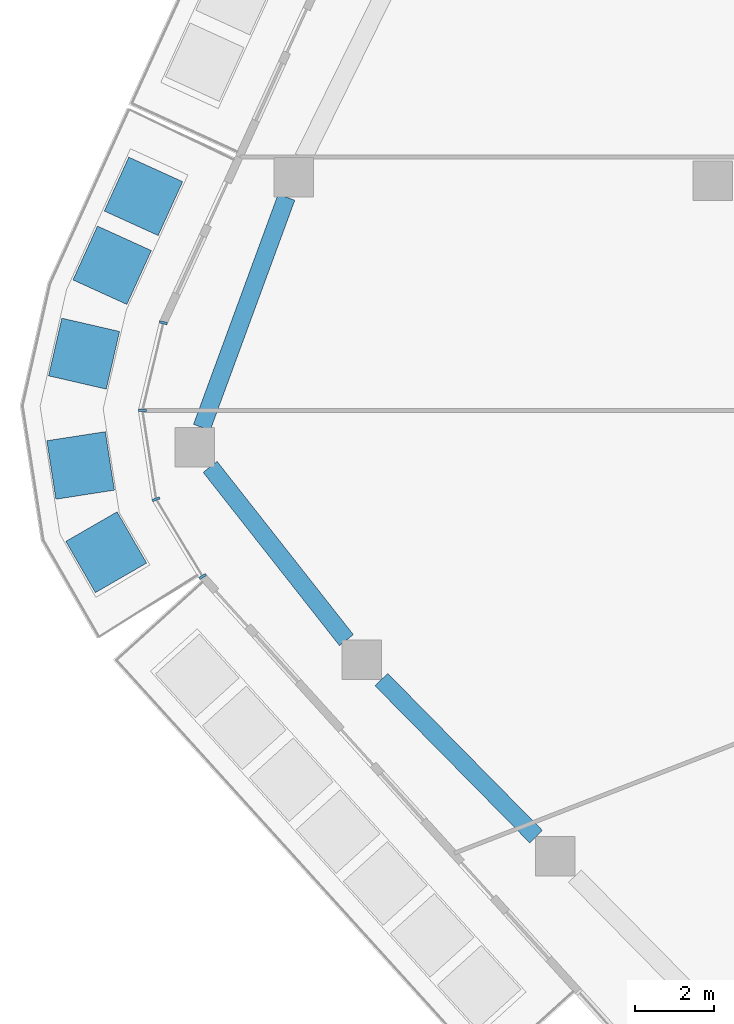
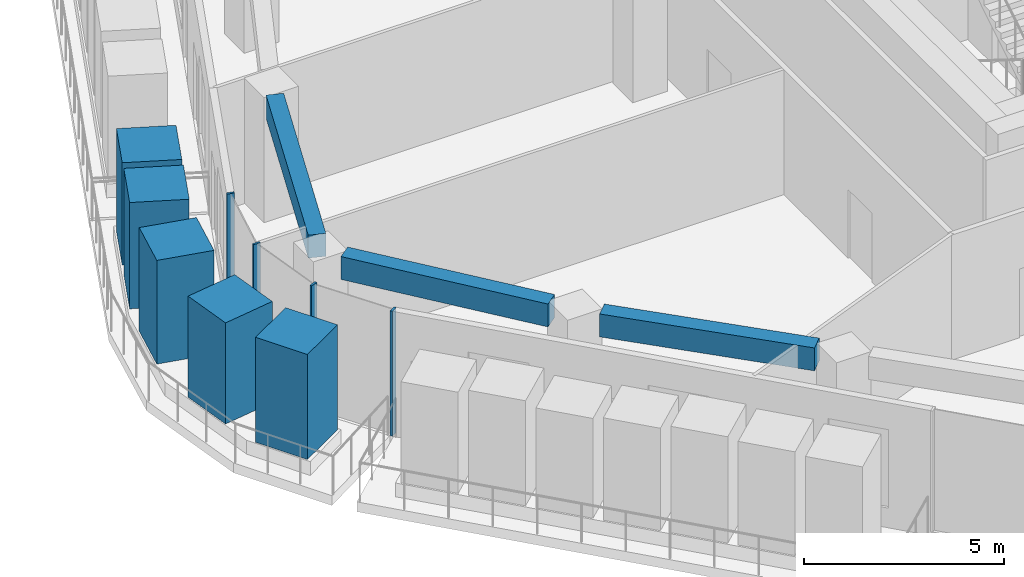
# One storey, part 3 of 24: 9 members, 3 beams, 1 element without a shape of its own.
"""IFC4 building model written with IfcOpenShell, lengths in metres."""

from ifc_helpers import new_model, si_unit, direction, frame, origin, origin_2d, place, context, subcontext, project, spatial, rectangle, extrude, material, layer, layer_set, material_profile, profile_set, type_object, element, aggregate, save


model = new_model("IFC4")

# Units and contexts
model_context = context("Model", 3, precision=1e-05, world=origin(), true_north=direction((0.0, 1.0)))
body_context = subcontext(model_context, "Body", "Model", "MODEL_VIEW")
ifc_project = project(units=[si_unit("LENGTHUNIT", "METRE"), si_unit("AREAUNIT", "SQUARE_METRE"), si_unit("VOLUMEUNIT", "CUBIC_METRE"), si_unit("PLANEANGLEUNIT", "RADIAN"), si_unit("MASSUNIT", "GRAM", prefix="KILO")], contexts=[model_context])

# Site, building, storey
site_placement = place(None, origin())
site = spatial("IfcSite", under=ifc_project, at=site_placement, CompositionType="ELEMENT")
building_placement = place(site_placement, origin())
building = spatial("IfcBuilding", under=site, at=building_placement, Name="Dongbaek Canopy Tower", CompositionType="ELEMENT")
storey_placement = place(building_placement, frame((0.0, 0.0, 306.800048828125)))
storey = spatial("IfcBuildingStorey", under=building, at=storey_placement, Name="L65", CompositionType="ELEMENT", Elevation=306.800048828125)

# Curtain wall, members
ifc_material_1 = material(Name="Aluminium 6063-T6 pale anodised", Category="aluminium")
ifc_layer = layer(ifc_material_1, 0.199951171875)
ifc_layer_set = layer_set([ifc_layer], Name="CW-1 unitised tower curtain wall")
curtain_wall_type = type_object("IfcCurtainWallType", Name="CW-1 unitised tower curtain wall", PredefinedType="NOTDEFINED", material=ifc_layer_set)
curtain_wall_placement = place(storey_placement, origin())
curtain_wall = element("IfcCurtainWall", 1, at=curtain_wall_placement, inside=storey, type_object=curtain_wall_type, Name="CW-1 curtain wall K3.1", PredefinedType="NOTDEFINED")
ifc_material_2 = material(Name="Aluminium 6063-T6 pale anodised", Category="aluminium")
ifc_material_profile_1 = material_profile(ifc_material_2, rectangle(XDim=0.199951171875, YDim=0.06005859375, at=origin_2d()), Name="CW-1 mullion 60 x 200")
ifc_profile_set_1 = profile_set([ifc_material_profile_1], Name="Aluminium 6063-T6 pale anodised")
member_type_1 = type_object("IfcMemberType", Name="CW-1 mullion 60 x 200", PredefinedType="MULLION", material=ifc_profile_set_1)
member_1_placement = place(storey_placement, frame((-31.920654296875, -3.59375, 0.0), z_axis=(0.0, 0.0, 1.0), x_axis=(-0.972600692253, 0.232482028187, 0.0)))
member_1 = element("IfcMember", 2, at=member_1_placement, type_object=member_type_1, Name="CW-1 mullion K3.1.1", PredefinedType="MULLION", context=body_context, shape_type="SweptSolid", body=[
    extrude(rectangle(XDim=0.199951171875, YDim=0.06005859375, at=origin_2d()), origin(), (0.0, 0.0, 1.0), 3.820068359375),
])
member_2_placement = place(storey_placement, frame((-32.451904296875, -5.81640625, 0.0), z_axis=(0.0, 0.0, 1.0), x_axis=(-0.999178724078, 0.040520085748, 0.0)))
member_2 = element("IfcMember", 3, at=member_2_placement, type_object=member_type_1, Name="CW-1 mullion K3.1.2", PredefinedType="MULLION", context=body_context, shape_type="SweptSolid", body=[
    extrude(rectangle(XDim=0.199951171875, YDim=0.06005859375, at=origin_2d()), origin(), (0.0, 0.0, 1.0), 3.820068359375),
])
member_3_placement = place(storey_placement, frame((-32.10400390625, -8.06494140625, 0.0), z_axis=(0.0, 0.0, 1.0), x_axis=(-0.940171100835, -0.340702657979, 0.0)))
member_3 = element("IfcMember", 4, at=member_3_placement, type_object=member_type_1, Name="CW-1 mullion K3.1.3", PredefinedType="MULLION", context=body_context, shape_type="SweptSolid", body=[
    extrude(rectangle(XDim=0.199951171875, YDim=0.06005859375, at=origin_2d()), origin(), (0.0, 0.0, 1.0), 3.820068359375),
])
member_4_placement = place(storey_placement, frame((-30.925537109375, -10.022705078125, 0.0), z_axis=(0.0, 0.0, 1.0), x_axis=(-0.856801523031, -0.51564634211, 0.0)))
member_4 = element("IfcMember", 5, at=member_4_placement, type_object=member_type_1, Name="CW-1 mullion K3.1.4", PredefinedType="MULLION", context=body_context, shape_type="SweptSolid", body=[
    extrude(rectangle(XDim=0.199951171875, YDim=0.06005859375, at=origin_2d()), origin(), (0.0, 0.0, 1.0), 3.820068359375),
])
aggregate(curtain_wall, [member_1, member_2, member_3, member_4])

# Beams
ifc_material_3 = material(Name="Concrete C60", Category="concrete")
ifc_material_profile_2 = material_profile(ifc_material_3, rectangle(XDim=0.449951171875, YDim=0.699951171875, at=origin_2d()), Name="RC EDGE BEAM 450x700 C60")
ifc_profile_set_2 = profile_set([ifc_material_profile_2], Name="Concrete C60")
beam_type = type_object("IfcBeamType", Name="RC EDGE BEAM 450x700 C60", PredefinedType="BEAM", material=ifc_profile_set_2)
beam_1_placement = place(storey_placement, frame((-22.478515625, -16.612060546875, 3.469970703125), z_axis=(-0.701708081315, 0.712464573588, 0.0), x_axis=(-0.712464573588, -0.701708081315, 0.0)))
element("IfcBeam", 6, at=beam_1_placement, inside=storey, type_object=beam_type, Name="EDGEBEAM:L65:06", PredefinedType="BEAM", context=body_context, shape_type="SweptSolid", body=[
    extrude(rectangle(XDim=0.449951171875, YDim=0.699951171875, at=origin_2d()), origin(), (0.0, 0.0, 1.0), 5.58349609375),
])
beam_2_placement = place(storey_placement, frame((-27.282470703125, -11.634033203125, 3.469970703125), z_axis=(-0.618340786972, 0.78591009102, 0.0), x_axis=(-0.78591009102, -0.618340786972, 0.0)))
element("IfcBeam", 7, at=beam_2_placement, inside=storey, type_object=beam_type, Name="EDGEBEAM:L65:07", PredefinedType="BEAM", context=body_context, shape_type="SweptSolid", body=[
    extrude(rectangle(XDim=0.449951171875, YDim=0.699951171875, at=origin_2d()), origin(), (0.0, 0.0, 1.0), 5.58447265625),
])
beam_3_placement = place(storey_placement, frame((-30.945068359375, -6.2451171875, 3.469970703125), z_axis=(0.345138950659, 0.938551599401, 0.0), x_axis=(-0.938551599401, 0.345138950659, 0.0)))
element("IfcBeam", 8, at=beam_3_placement, inside=storey, type_object=beam_type, Name="EDGEBEAM:L65:08", PredefinedType="BEAM", context=body_context, shape_type="SweptSolid", body=[
    extrude(rectangle(XDim=0.449951171875, YDim=0.699951171875, at=origin_2d()), origin(), (0.0, 0.0, 1.0), 6.212890625),
])

# Members
ifc_material_4 = material(Name="Concrete C40/50 planter mass with planting", Category="concrete")
ifc_material_profile_3 = material_profile(ifc_material_4, rectangle(XDim=1.5, YDim=1.5, at=origin_2d()), Name="Terrace PLANTER shrub mass 1500 x 1500")
ifc_profile_set_3 = profile_set([ifc_material_profile_3], Name="Concrete C40/50 planter mass with planting")
member_type_2 = type_object("IfcMemberType", Name="Terrace PLANTER shrub mass 1500 x 1500", PredefinedType="USERDEFINED", material=ifc_profile_set_3)
member_5_placement = place(storey_placement, frame((-32.423095703125, -0.39208984375, 0.419921875), z_axis=(0.0, 0.0, 1.0), x_axis=(-0.910355874039, 0.413826271039, 0.0)))
element("IfcMember", 9, at=member_5_placement, inside=storey, type_object=member_type_2, Name="Planter shrubs L65 6.1", ObjectType="PLANTER", PredefinedType="USERDEFINED", context=body_context, shape_type="SweptSolid", body=[
    extrude(rectangle(XDim=1.5, YDim=1.5, at=origin_2d()), origin(), (0.0, 0.0, 1.0), 3.130126953125),
])
member_6_placement = place(storey_placement, frame((-33.216796875, -2.137939453125, 0.419921875), z_axis=(0.0, 0.0, 1.0), x_axis=(-0.910355874039, 0.413826271039, 0.0)))
element("IfcMember", 10, at=member_6_placement, inside=storey, type_object=member_type_2, Name="Planter shrubs L65 6.2", ObjectType="PLANTER", PredefinedType="USERDEFINED", context=body_context, shape_type="SweptSolid", body=[
    extrude(rectangle(XDim=1.5, YDim=1.5, at=origin_2d()), origin(), (0.0, 0.0, 1.0), 3.25),
])
member_7_placement = place(storey_placement, frame((-33.927978515625, -4.377197265625, 0.419921875), z_axis=(0.0, 0.0, 1.0), x_axis=(-0.974537245285, 0.224225684416, 0.0)))
element("IfcMember", 11, at=member_7_placement, inside=storey, type_object=member_type_2, Name="Planter shrubs L65 6.3", ObjectType="PLANTER", PredefinedType="USERDEFINED", context=body_context, shape_type="SweptSolid", body=[
    extrude(rectangle(XDim=1.5, YDim=1.5, at=origin_2d()), origin(), (0.0, 0.0, 1.0), 3.169921875),
])
member_8_placement = place(storey_placement, frame((-34.015625, -7.20947265625, 0.419921875), z_axis=(0.0, 0.0, 1.0), x_axis=(-0.988231820441, -0.15296362008, 0.0)))
element("IfcMember", 12, at=member_8_placement, inside=storey, type_object=member_type_2, Name="Planter shrubs L65 6.4", ObjectType="PLANTER", PredefinedType="USERDEFINED", context=body_context, shape_type="SweptSolid", body=[
    extrude(rectangle(XDim=1.5, YDim=1.5, at=origin_2d()), origin(), (0.0, 0.0, 1.0), 3.090087890625),
])
member_9_placement = place(storey_placement, frame((-33.366455078125, -9.40771484375, 0.419921875), z_axis=(0.0, 0.0, 1.0), x_axis=(-0.866328530905, -0.499474600496, 0.0)))
element("IfcMember", 13, at=member_9_placement, inside=storey, type_object=member_type_2, Name="Planter shrubs L65 6.5", ObjectType="PLANTER", PredefinedType="USERDEFINED", context=body_context, shape_type="SweptSolid", body=[
    extrude(rectangle(XDim=1.5, YDim=1.5, at=origin_2d()), origin(), (0.0, 0.0, 1.0), 3.2099609375),
])

save(model, "model.ifc")
